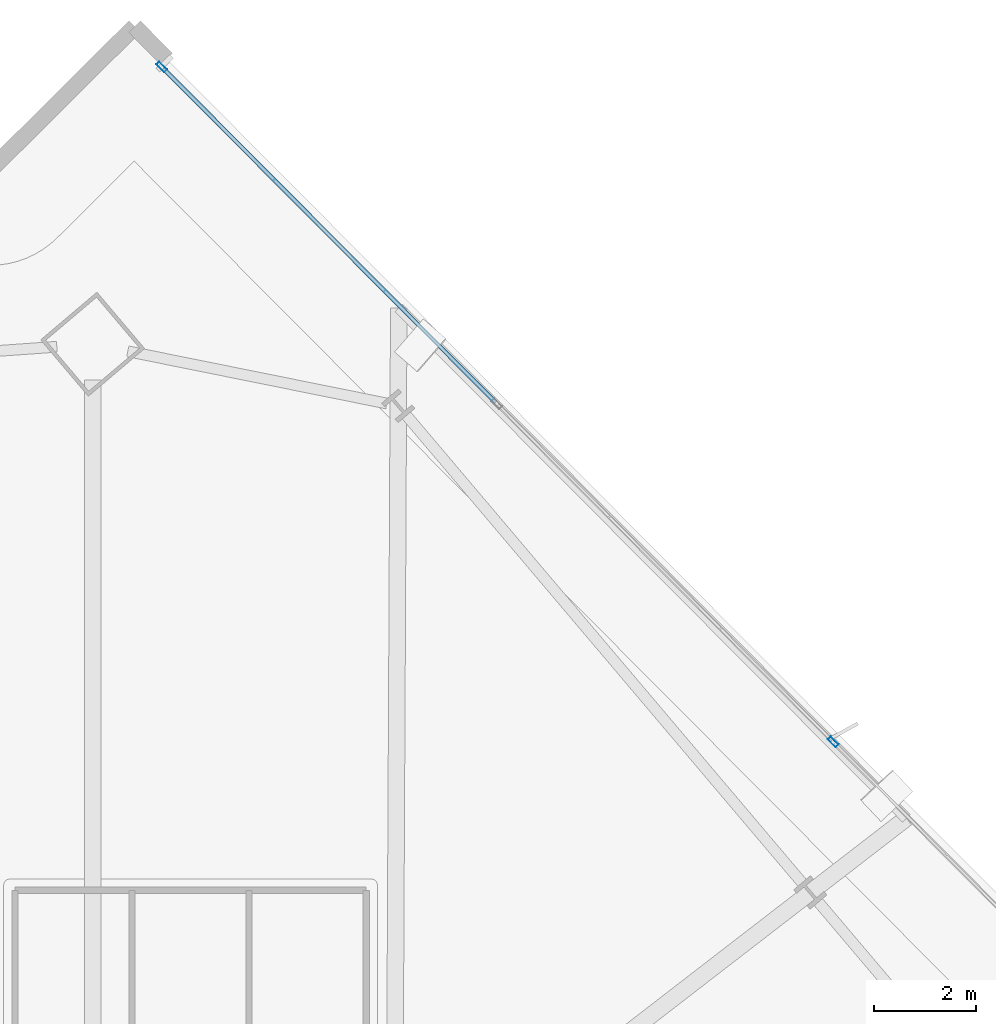
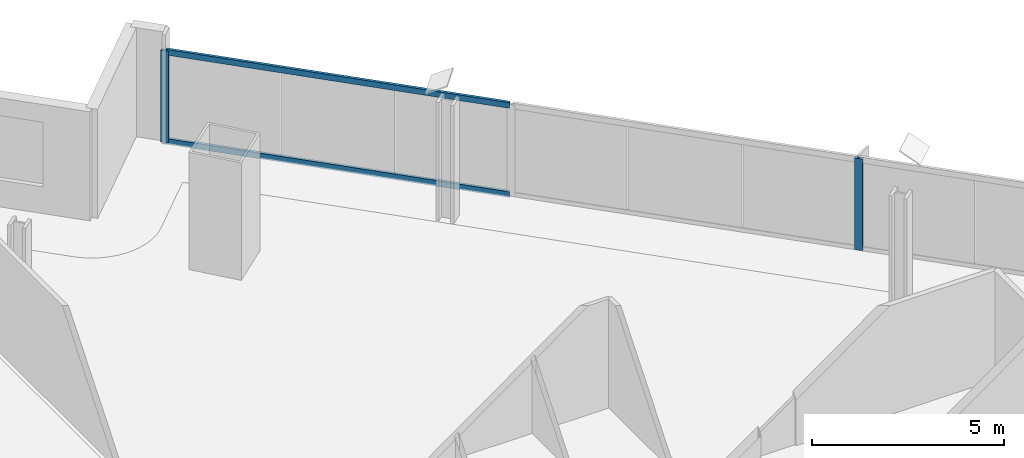
# One storey, part 22 of 32: 4 members, 1 element without a shape of its own.
"""IFC4 building model written with IfcOpenShell, lengths in metres."""

from ifc_helpers import new_model, si_unit, direction, frame, origin, origin_2d, place, context, subcontext, project, spatial, hollow_rectangle, extrude, material, material_profile, profile_set, type_object, element, aggregate, save


model = new_model("IFC4")

# Units and contexts
model_context = context("Model", 3, precision=1e-05, world=origin(), true_north=direction((0.0, 1.0)))
body_context = subcontext(model_context, "Body", "Model", "MODEL_VIEW")
ifc_project = project(units=[si_unit("LENGTHUNIT", "METRE"), si_unit("AREAUNIT", "SQUARE_METRE"), si_unit("VOLUMEUNIT", "CUBIC_METRE"), si_unit("PLANEANGLEUNIT", "RADIAN"), si_unit("MASSUNIT", "GRAM", prefix="KILO")], contexts=[model_context])

# Site, building, storey
site_placement = place(None, origin())
site = spatial("IfcSite", under=ifc_project, at=site_placement, CompositionType="ELEMENT")
building_placement = place(site_placement, origin())
building = spatial("IfcBuilding", under=site, at=building_placement, Name="Haldenkirk Collegiate Tower", CompositionType="ELEMENT")
storey_placement = place(building_placement, frame((0.0, 0.0, 178.199951171875)))
storey = spatial("IfcBuildingStorey", under=building, at=storey_placement, Name="L44", CompositionType="ELEMENT", Elevation=178.199951171875)

# Curtain wall, members
ifc_material = material(Name="Anodised architectural bronze aluminium", Category="aluminium")
curtain_wall_type = type_object("IfcCurtainWallType", Name="CW-SYS1-CONVEX-LOW", PredefinedType="USERDEFINED", material=ifc_material)
curtain_wall_placement = place(storey_placement, origin())
curtain_wall = element("IfcCurtainWall", 1, at=curtain_wall_placement, inside=storey, type_object=curtain_wall_type, Name="L44 Lower tower convex bronze-framed unitised curtain wall", ObjectType="UNITISED CURTAIN WALL", PredefinedType="USERDEFINED")
ifc_material_profile_1 = material_profile(ifc_material, hollow_rectangle(XDim=0.080078125, YDim=0.219970703125, WallThickness=0.0048828125, at=origin_2d()), Name="CW-MUL-1A")
ifc_profile_set_1 = profile_set([ifc_material_profile_1], Name="Anodised architectural bronze aluminium")
member_type_1 = type_object("IfcMemberType", Name="CW-MUL-1A", PredefinedType="MULLION", material=ifc_profile_set_1)
member_1_placement = place(storey_placement, frame((40.435791015625, 56.521240234375, 0.0), z_axis=(0.0, 0.0, 1.0), x_axis=(0.708953598447, 0.705255127772, 0.0)))
member_1 = element("IfcMember", 2, at=member_1_placement, type_object=member_type_1, Name="CW-1A mullion 1", PredefinedType="MULLION", context=body_context, shape_type="SweptSolid", body=[
    extrude(hollow_rectangle(XDim=0.080078125, YDim=0.219970703125, WallThickness=0.0048828125, at=origin_2d()), origin(), (0.0, 0.0, 1.0), 2.9111328125),
])
member_2_placement = place(storey_placement, frame((53.622314453125, 43.265625, 0.0), z_axis=(0.0, 0.0, 1.0), x_axis=(0.708953598447, 0.705255127772, 0.0)))
member_2 = element("IfcMember", 3, at=member_2_placement, type_object=member_type_1, Name="CW-1A mullion 3", PredefinedType="MULLION", context=body_context, shape_type="SweptSolid", body=[
    extrude(hollow_rectangle(XDim=0.080078125, YDim=0.219970703125, WallThickness=0.0048828125, at=origin_2d()), origin(), (0.0, 0.0, 1.0), 2.9111328125),
])
ifc_material_profile_2 = material_profile(ifc_material, hollow_rectangle(XDim=0.080078125, YDim=0.179931640625, WallThickness=0.0048828125, at=origin_2d()), Name="CW-TRN-1A")
ifc_profile_set_2 = profile_set([ifc_material_profile_2], Name="Anodised architectural bronze aluminium")
member_type_2 = type_object("IfcMemberType", Name="CW-TRN-1A", PredefinedType="USERDEFINED", material=ifc_profile_set_2)
member_3_placement = place(storey_placement, frame((40.4638671875, 56.492919921875, 0.0400390625), z_axis=(0.705256556117, -0.708952177551, 0.0), x_axis=(0.708952177551, 0.705256556117, 0.0)))
member_3 = element("IfcMember", 4, at=member_3_placement, type_object=member_type_2, Name="CW-1A transom 1.1", ObjectType="TRANSOM", PredefinedType="USERDEFINED", context=body_context, shape_type="SweptSolid", body=[
    extrude(hollow_rectangle(XDim=0.080078125, YDim=0.179931640625, WallThickness=0.0048828125, at=origin_2d()), origin(), (0.0, 0.0, 1.0), 9.248779296875),
])
member_4_placement = place(storey_placement, frame((40.4638671875, 56.492919921875, 2.87109375), z_axis=(0.705256556117, -0.708952177551, 0.0), x_axis=(0.708952177551, 0.705256556117, 0.0)))
member_4 = element("IfcMember", 5, at=member_4_placement, type_object=member_type_2, Name="CW-1A transom 1.2", ObjectType="TRANSOM", PredefinedType="USERDEFINED", context=body_context, shape_type="SweptSolid", body=[
    extrude(hollow_rectangle(XDim=0.080078125, YDim=0.179931640625, WallThickness=0.0048828125, at=origin_2d()), origin(), (0.0, 0.0, 1.0), 9.248779296875),
])
aggregate(curtain_wall, [member_1, member_2, member_3, member_4])

save(model, "model.ifc")
